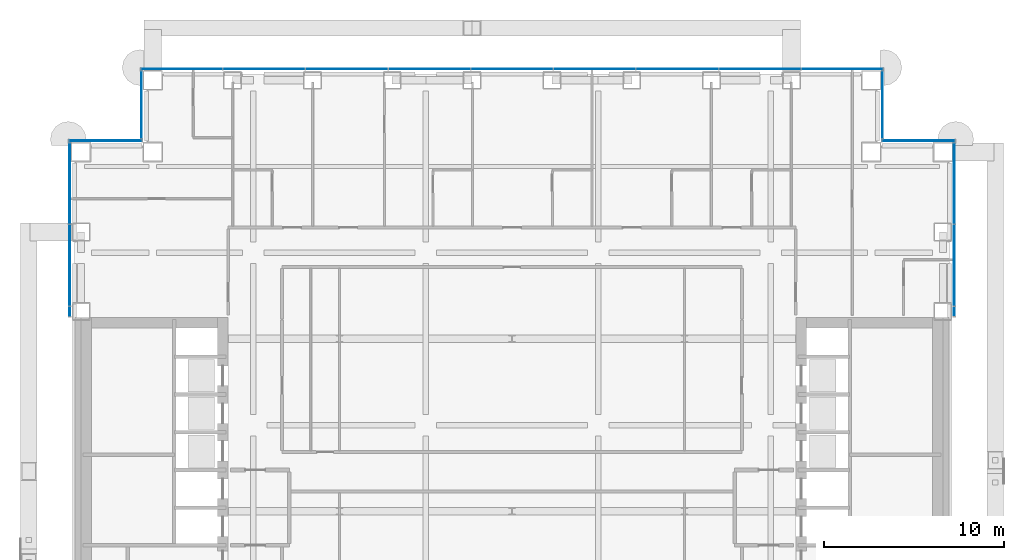
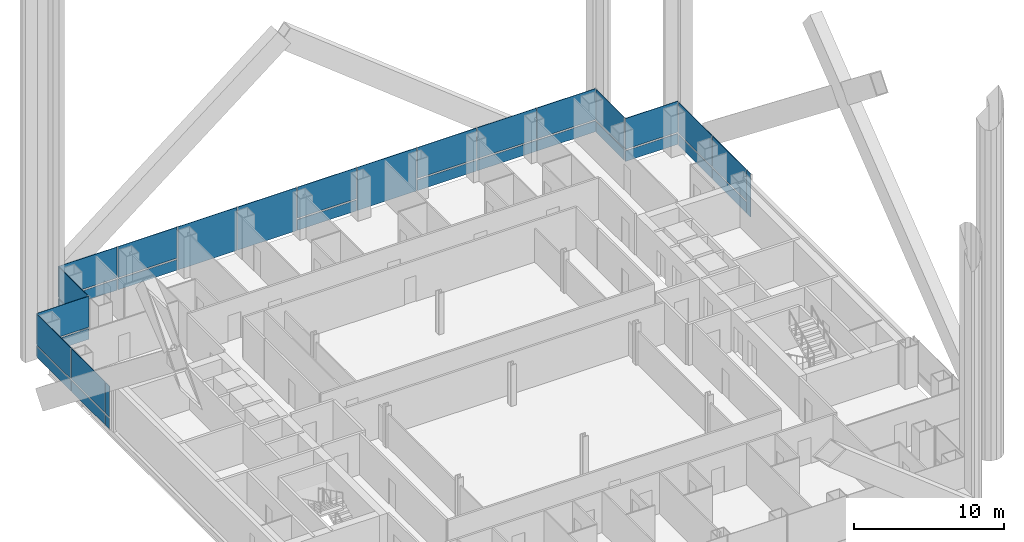
# One storey, part 17 of 28: 34 plates, 7 elements without a shape of their own.
"""IFC4 building model written with IfcOpenShell, lengths in metres."""

import ifcopenshell
import ifcopenshell.guid

model = None  # the IFC model being written
_history = None  # IfcOwnerHistory: only IFC2X3 demands one
_inside = {}  # id of a spatial element -> (the spatial element, [elements in it])
_under = {}  # id of a project, library or spatial element -> (it, [spatial elements below it])
_declared = {}  # id of a project -> (the project, [libraries it declares])
_typed = {}  # id of a type object -> (the type object, [elements of that type])
_made_of = {}  # id of a material, layer set ... -> (it, [elements and type objects made of it])


def new_model(schema):
    """Start an empty IFC model of exactly this schema.

    Asked for "IFC4X3", IfcOpenShell would pick the latest addendum, in which some entities
    have other attributes; the version numbers below select the first issue.
    IFC2X3 requires an IfcOwnerHistory on every rooted entity: one is made here for all.
    """
    global model, _history
    if schema == "IFC4X3":
        model = ifcopenshell.file(schema_version=(4, 3, 0, 0))
    else:
        model = ifcopenshell.file(schema=schema)
    _inside.clear()
    _under.clear()
    _declared.clear()
    _typed.clear()
    _made_of.clear()
    _history = None
    if model.schema == "IFC2X3":
        org = make("IfcOrganization", Name="unknown")
        user = make(
            "IfcPersonAndOrganization",
            ThePerson=make("IfcPerson", FamilyName="unknown"),
            TheOrganization=org,
        )
        app = make(
            "IfcApplication",
            ApplicationDeveloper=org,
            Version="unknown",
            ApplicationFullName="unknown",
            ApplicationIdentifier="unknown",
        )
        _history = make(
            "IfcOwnerHistory",
            OwningUser=user,
            OwningApplication=app,
            ChangeAction="ADDED",
            CreationDate=0,
        )
    return model


def make(cls, **values):
    """One entity of the class cls with the attributes given. An attribute that is None is left unset."""
    return model.create_entity(
        cls, **{name: value for name, value in values.items() if value is not None}
    )


def rooted(cls, **values):
    """An entity with a GlobalId (a new one), such as an element, a storey or a relation."""
    return make(cls, GlobalId=ifcopenshell.guid.new(), OwnerHistory=_history, **values)


def si_unit(unit_type, name, prefix=None):
    """IfcSIUnit, for example si_unit("LENGTHUNIT", "METRE", prefix="MILLI")."""
    return make("IfcSIUnit", UnitType=unit_type, Prefix=prefix, Name=name)


def assignment(units):
    """IfcUnitAssignment: the units of a project."""
    return None if units is None else make("IfcUnitAssignment", Units=units)


def point(xyz):
    """IfcCartesianPoint."""
    return None if xyz is None else make("IfcCartesianPoint", Coordinates=xyz)


def direction(xyz):
    """IfcDirection."""
    return None if xyz is None else make("IfcDirection", DirectionRatios=xyz)


def frame(location, z_axis=None, x_axis=None):
    """IfcAxis2Placement3D, a coordinate frame: its origin and axes. An axis left out is left unset."""
    return make(
        "IfcAxis2Placement3D",
        Location=point(location),
        Axis=direction(z_axis),
        RefDirection=direction(x_axis),
    )


def frame_2d(location, x_axis=None):
    """IfcAxis2Placement2D, a coordinate frame in the plane: its origin and x axis."""
    return make(
        "IfcAxis2Placement2D", Location=point(location), RefDirection=direction(x_axis)
    )


def origin():
    """The frame at (0, 0, 0) with its axes left unset."""
    return frame((0.0, 0.0, 0.0))


def origin_2d():
    """The frame at (0, 0) in the plane with its x axis left unset."""
    return frame_2d((0.0, 0.0))


def place(relative_to, where):
    """IfcLocalPlacement: puts the frame where relative to a parent placement (None: the world)."""
    return make(
        "IfcLocalPlacement", PlacementRelTo=relative_to, RelativePlacement=where
    )


def context(
    kind, dimensions, precision=None, world=None, true_north=None, identifier=None
):
    """IfcGeometricRepresentationContext, for example the 3D "Model" context."""
    return make(
        "IfcGeometricRepresentationContext",
        ContextIdentifier=identifier,
        ContextType=kind,
        CoordinateSpaceDimension=dimensions,
        Precision=precision,
        WorldCoordinateSystem=world,
        TrueNorth=true_north,
    )


def subcontext(parent, identifier, kind, view, scale=None):
    """IfcGeometricRepresentationSubContext, for example "Body" below "Model"."""
    return make(
        "IfcGeometricRepresentationSubContext",
        ContextIdentifier=identifier,
        ContextType=kind,
        ParentContext=parent,
        TargetScale=scale,
        TargetView=view,
    )


def project(units=None, contexts=None):
    """IfcProject with its units and contexts."""
    return rooted(
        "IfcProject",
        Name="project",
        RepresentationContexts=contexts,
        UnitsInContext=assignment(units),
    )


def spatial(cls, under=None, at=None, **own):
    """A site, building, storey or space (cls), placed at a placement, below another one or the project."""
    s = rooted(cls, ObjectPlacement=at, **own)
    if under is not None:
        _under.setdefault(under.id(), (under, []))[1].append(s)
    return s


def profile(cls, at=None, kind="AREA", **sizes):
    """A parametric profile (cls). Its sizes go by their IFC names, for example OverallWidth=200.0."""
    return make(cls, ProfileType=kind, Position=at, **sizes)


def rectangle(**sizes):
    """IfcRectangleProfileDef."""
    return profile("IfcRectangleProfileDef", **sizes)


def extrude(swept, where, along, depth):
    """IfcExtrudedAreaSolid: the profile swept, set in the frame where, extruded along a direction by depth."""
    return make(
        "IfcExtrudedAreaSolid",
        SweptArea=swept,
        Position=where,
        ExtrudedDirection=direction(along),
        Depth=depth,
    )


def shape(context_of_items, identifier, shape_type, items):
    """IfcShapeRepresentation: the items that make up one representation, for example the "Body"."""
    return make(
        "IfcShapeRepresentation",
        ContextOfItems=context_of_items,
        RepresentationIdentifier=identifier,
        RepresentationType=shape_type,
        Items=items,
    )


def material(Name=None, Category=None):
    """IfcMaterial."""
    return make("IfcMaterial", Name=Name, Category=Category)


def layer(
    of_material, thickness, ventilated=None, Name=None, Category=None, Priority=None
):
    """IfcMaterialLayer: one layer of a wall or slab, of a material (None: an air gap)."""
    return make(
        "IfcMaterialLayer",
        Material=of_material,
        LayerThickness=thickness,
        IsVentilated=ventilated,
        Name=Name,
        Category=Category,
        Priority=Priority,
    )


def layer_set(layers, Name=None):
    """IfcMaterialLayerSet."""
    return make("IfcMaterialLayerSet", MaterialLayers=layers, LayerSetName=Name)


def made_of(thing, what):
    """Note that an element or type object is made of a material, layer set ...; save() writes the relation."""
    if what is not None:
        _made_of.setdefault(what.id(), (what, []))[1].append(thing)
    return thing


def type_object(cls, material=None, **own):
    """A type object (cls), such as IfcWallType, which elements share."""
    return made_of(rooted(cls, **own), material)


def element(
    cls,
    number,
    at=None,
    inside=None,
    cuts=None,
    type_object=None,
    material=None,
    context=None,
    identifier="Body",
    shape_type=None,
    held_by="IfcProductDefinitionShape",
    body=None,
    shapes=None,
    **own,
):
    """One element of the class cls, such as IfcWall. Its Tag is "e" and its number.

    at: its placement. inside: the storey or other place that contains it. cuts: it is an
    opening in that element (IfcRelVoidsElement). A single representation is given by context,
    identifier, shape_type and body (its items); several are given by shapes. held_by: the class
    of the entity that holds the representations. save() writes the other relations.
    """
    e = rooted(cls, Tag="e%d" % number, ObjectPlacement=at, **own)
    if body is not None:
        shapes = [shape(context, identifier, shape_type, body)]
    if shapes is not None:
        e.Representation = make(held_by, Representations=shapes)
    if inside is not None:
        _inside.setdefault(inside.id(), (inside, []))[1].append(e)
    if cuts is not None:
        rooted(
            "IfcRelVoidsElement", RelatingBuildingElement=cuts, RelatedOpeningElement=e
        )
    if type_object is not None:
        _typed.setdefault(type_object.id(), (type_object, []))[1].append(e)
    return made_of(e, material)


def aggregate(whole, parts):
    """IfcRelAggregates: a whole, such as a stair, and the parts it consists of."""
    return rooted("IfcRelAggregates", RelatingObject=whole, RelatedObjects=parts)


def save(model, path):
    """Write the relations noted so far, then the file.

    IfcRelAggregates (storeys below a building ...), IfcRelContainedInSpatialStructure (elements
    in a storey), IfcRelDefinesByType, IfcRelAssociatesMaterial and IfcRelDeclares: one each for
    every whole, place, type object, material and project.
    """
    for whole, parts in _under.values():
        aggregate(whole, parts)
    for where, things in _inside.values():
        rooted(
            "IfcRelContainedInSpatialStructure",
            RelatedElements=things,
            RelatingStructure=where,
        )
    for kind, things in _typed.values():
        rooted("IfcRelDefinesByType", RelatedObjects=things, RelatingType=kind)
    for what, things in _made_of.values():
        rooted("IfcRelAssociatesMaterial", RelatedObjects=things, RelatingMaterial=what)
    for by, libraries in _declared.values():
        rooted("IfcRelDeclares", RelatingContext=by, RelatedDefinitions=libraries)
    model.write(path)


model = new_model("IFC4")

# Units and contexts
model_context = context("Model", 3, precision=1e-05, world=origin(), true_north=direction((0.0, 1.0)))
body_context = subcontext(model_context, "Body", "Model", "MODEL_VIEW")
ifc_project = project(units=[si_unit("LENGTHUNIT", "METRE"), si_unit("AREAUNIT", "SQUARE_METRE"), si_unit("VOLUMEUNIT", "CUBIC_METRE"), si_unit("PLANEANGLEUNIT", "RADIAN"), si_unit("MASSUNIT", "GRAM", prefix="KILO")], contexts=[model_context])

# Site, building, storey
site_placement = place(None, origin())
site = spatial("IfcSite", under=ifc_project, at=site_placement, CompositionType="ELEMENT")
building_placement = place(site_placement, origin())
building = spatial("IfcBuilding", under=site, at=building_placement, Name="Cobrizo Arcos Hotel Tower", CompositionType="ELEMENT")
storey_placement = place(building_placement, frame((0.0, 0.0, 39.0)))
storey = spatial("IfcBuildingStorey", under=building, at=storey_placement, Name="L07", CompositionType="ELEMENT", Elevation=39.0)

# Curtain wall, plates
ifc_material_1 = material(Name="Aluminium 6063-T6 anodised bronze", Category="aluminium")
curtain_wall_type = type_object("IfcCurtainWallType", Name="CW-A guest facade", PredefinedType="NOTDEFINED", material=ifc_material_1)
curtain_wall_1_placement = place(storey_placement, origin())
curtain_wall_1 = element("IfcCurtainWall", 1, at=curtain_wall_1_placement, inside=storey, type_object=curtain_wall_type, Name="CW-A L07 E face", PredefinedType="NOTDEFINED")
ifc_material_2 = material(Name="Glass clear laminated low-e", Category="glass")
ifc_layer_1 = layer(ifc_material_2, 0.0400390625)
ifc_layer_set_1 = layer_set([ifc_layer_1], Name="CW-A glass panel")
plate_type_1 = type_object("IfcPlateType", Name="CW-A glass panel", PredefinedType="CURTAIN_PANEL", material=ifc_layer_set_1)
plate_1_placement = place(storey_placement, frame((24.625, 13.699951171875, 0.990234375), z_axis=(0.0, 0.0, 1.0), x_axis=(0.0, 1.0, 0.0)))
plate_1 = element("IfcPlate", 2, at=plate_1_placement, type_object=plate_type_1, Name="CW-A glass panel 376", PredefinedType="CURTAIN_PANEL", context=body_context, shape_type="SweptSolid", body=[
    extrude(rectangle(XDim=4.506591796875, YDim=0.0400390625, at=origin_2d()), origin(), (0.0, 0.0, 1.0), 2.510009765625),
])
plate_2_placement = place(storey_placement, frame((24.625, 18.251708984375, 0.990234375), z_axis=(0.0, 0.0, 1.0), x_axis=(0.0, 1.0, 0.0)))
plate_2 = element("IfcPlate", 3, at=plate_2_placement, type_object=plate_type_1, Name="CW-A glass panel 377", PredefinedType="CURTAIN_PANEL", context=body_context, shape_type="SweptSolid", body=[
    extrude(rectangle(XDim=4.4765625, YDim=0.0400390625, at=origin_2d()), origin(), (0.0, 0.0, 1.0), 2.510009765625),
])

# Curtain wall, plate
curtain_wall_2_placement = place(storey_placement, origin())
curtain_wall_2 = element("IfcCurtainWall", 4, at=curtain_wall_2_placement, inside=storey, type_object=curtain_wall_type, Name="CW-A L07 N face", PredefinedType="NOTDEFINED")
plate_3_placement = place(storey_placement, frame((22.625, 20.625, 0.990234375), z_axis=(0.0, 0.0, 1.0), x_axis=(-1.0, 0.0, 0.0)))
plate_3 = element("IfcPlate", 5, at=plate_3_placement, type_object=plate_type_1, Name="CW-A glass panel 378", PredefinedType="CURTAIN_PANEL", context=body_context, shape_type="SweptSolid", body=[
    extrude(rectangle(XDim=4.030029296875, YDim=0.0400390625, at=origin_2d()), origin(), (0.0, 0.0, 1.0), 2.510009765625),
])

curtain_wall_3_placement = place(storey_placement, origin())
curtain_wall_3 = element("IfcCurtainWall", 6, at=curtain_wall_3_placement, inside=storey, type_object=curtain_wall_type, Name="CW-A L07 E face", PredefinedType="NOTDEFINED")
plate_4_placement = place(storey_placement, frame((20.625, 22.625, 0.990234375), z_axis=(0.0, 0.0, 1.0), x_axis=(0.0, 1.0, 0.0)))
plate_4 = element("IfcPlate", 7, at=plate_4_placement, type_object=plate_type_1, Name="CW-A glass panel 379", PredefinedType="CURTAIN_PANEL", context=body_context, shape_type="SweptSolid", body=[
    extrude(rectangle(XDim=3.72998046875, YDim=0.0400390625, at=origin_2d()), origin(), (0.0, 0.0, 1.0), 2.510009765625),
])

# Curtain wall, plates
curtain_wall_4_placement = place(storey_placement, origin())
curtain_wall_4 = element("IfcCurtainWall", 8, at=curtain_wall_4_placement, inside=storey, type_object=curtain_wall_type, Name="CW-A L07 N face", PredefinedType="NOTDEFINED")
plate_5_placement = place(storey_placement, frame((18.385009765625, 24.625, 0.990234375), z_axis=(0.0, 0.0, 1.0), x_axis=(-1.0, 0.0, 0.0)))
plate_5 = element("IfcPlate", 9, at=plate_5_placement, type_object=plate_type_1, Name="CW-A glass panel 380", PredefinedType="CURTAIN_PANEL", context=body_context, shape_type="SweptSolid", body=[
    extrude(rectangle(XDim=4.510009765625, YDim=0.0400390625, at=origin_2d()), origin(), (0.0, 0.0, 1.0), 2.510009765625),
])
plate_6_placement = place(storey_placement, frame((13.800048828125, 24.625, 0.990234375), z_axis=(0.0, 0.0, 1.0), x_axis=(-1.0, 0.0, 0.0)))
plate_6 = element("IfcPlate", 10, at=plate_6_placement, type_object=plate_type_1, Name="CW-A glass panel 381", PredefinedType="CURTAIN_PANEL", context=body_context, shape_type="SweptSolid", body=[
    extrude(rectangle(XDim=4.5400390625, YDim=0.0400390625, at=origin_2d()), origin(), (0.0, 0.0, 1.0), 2.510009765625),
])
plate_7_placement = place(storey_placement, frame((9.199951171875, 24.625, 0.990234375), z_axis=(0.0, 0.0, 1.0), x_axis=(-1.0, 0.0, 0.0)))
plate_7 = element("IfcPlate", 11, at=plate_7_placement, type_object=plate_type_1, Name="CW-A glass panel 382", PredefinedType="CURTAIN_PANEL", context=body_context, shape_type="SweptSolid", body=[
    extrude(rectangle(XDim=4.5400390625, YDim=0.0400390625, at=origin_2d()), origin(), (0.0, 0.0, 1.0), 2.510009765625),
])
plate_8_placement = place(storey_placement, frame((0.0, 24.625, 0.990234375), z_axis=(0.0, 0.0, 1.0), x_axis=(-1.0, 0.0, 0.0)))
plate_8 = element("IfcPlate", 12, at=plate_8_placement, type_object=plate_type_1, Name="CW-A glass panel 384", PredefinedType="CURTAIN_PANEL", context=body_context, shape_type="SweptSolid", body=[
    extrude(rectangle(XDim=4.5400390625, YDim=0.0400390625, at=origin_2d()), origin(), (0.0, 0.0, 1.0), 2.510009765625),
])
plate_9_placement = place(storey_placement, frame((-13.800048828125, 24.625, 0.990234375), z_axis=(0.0, 0.0, 1.0), x_axis=(-1.0, 0.0, 0.0)))
plate_9 = element("IfcPlate", 13, at=plate_9_placement, type_object=plate_type_1, Name="CW-A glass panel 387", PredefinedType="CURTAIN_PANEL", context=body_context, shape_type="SweptSolid", body=[
    extrude(rectangle(XDim=4.5400390625, YDim=0.0400390625, at=origin_2d()), origin(), (0.0, 0.0, 1.0), 2.510009765625),
])
plate_10_placement = place(storey_placement, frame((-18.385009765625, 24.625, 0.990234375), z_axis=(0.0, 0.0, 1.0), x_axis=(-1.0, 0.0, 0.0)))
plate_10 = element("IfcPlate", 14, at=plate_10_placement, type_object=plate_type_1, Name="CW-A glass panel 388", PredefinedType="CURTAIN_PANEL", context=body_context, shape_type="SweptSolid", body=[
    extrude(rectangle(XDim=4.510009765625, YDim=0.0400390625, at=origin_2d()), origin(), (0.0, 0.0, 1.0), 2.510009765625),
])

# Curtain wall, plate
curtain_wall_5_placement = place(storey_placement, origin())
curtain_wall_5 = element("IfcCurtainWall", 15, at=curtain_wall_5_placement, inside=storey, type_object=curtain_wall_type, Name="CW-A L07 W face", PredefinedType="NOTDEFINED")
plate_11_placement = place(storey_placement, frame((-20.625, 22.625, 0.990234375), z_axis=(0.0, 0.0, 1.0), x_axis=(0.0, -1.0, 0.0)))
plate_11 = element("IfcPlate", 16, at=plate_11_placement, type_object=plate_type_1, Name="CW-A glass panel 389", PredefinedType="CURTAIN_PANEL", context=body_context, shape_type="SweptSolid", body=[
    extrude(rectangle(XDim=3.72998046875, YDim=0.0400390625, at=origin_2d()), origin(), (0.0, 0.0, 1.0), 2.510009765625),
])

curtain_wall_6_placement = place(storey_placement, origin())
curtain_wall_6 = element("IfcCurtainWall", 17, at=curtain_wall_6_placement, inside=storey, type_object=curtain_wall_type, Name="CW-A L07 N face", PredefinedType="NOTDEFINED")
plate_12_placement = place(storey_placement, frame((-22.625, 20.625, 0.990234375), z_axis=(0.0, 0.0, 1.0), x_axis=(-1.0, 0.0, 0.0)))
plate_12 = element("IfcPlate", 18, at=plate_12_placement, type_object=plate_type_1, Name="CW-A glass panel 390", PredefinedType="CURTAIN_PANEL", context=body_context, shape_type="SweptSolid", body=[
    extrude(rectangle(XDim=4.030029296875, YDim=0.0400390625, at=origin_2d()), origin(), (0.0, 0.0, 1.0), 2.510009765625),
])

# Curtain wall, plates
curtain_wall_7_placement = place(storey_placement, origin())
curtain_wall_7 = element("IfcCurtainWall", 19, at=curtain_wall_7_placement, inside=storey, type_object=curtain_wall_type, Name="CW-A L07 W face", PredefinedType="NOTDEFINED")
plate_13_placement = place(storey_placement, frame((-24.625, 18.251708984375, 0.990234375), z_axis=(0.0, 0.0, 1.0), x_axis=(0.0, -1.0, 0.0)))
plate_13 = element("IfcPlate", 20, at=plate_13_placement, type_object=plate_type_1, Name="CW-A glass panel 391", PredefinedType="CURTAIN_PANEL", context=body_context, shape_type="SweptSolid", body=[
    extrude(rectangle(XDim=4.4765625, YDim=0.0400390625, at=origin_2d()), origin(), (0.0, 0.0, 1.0), 2.510009765625),
])
plate_14_placement = place(storey_placement, frame((-24.625, 13.699951171875, 0.990234375), z_axis=(0.0, 0.0, 1.0), x_axis=(0.0, -1.0, 0.0)))
plate_14 = element("IfcPlate", 21, at=plate_14_placement, type_object=plate_type_1, Name="CW-A glass panel 392", PredefinedType="CURTAIN_PANEL", context=body_context, shape_type="SweptSolid", body=[
    extrude(rectangle(XDim=4.506591796875, YDim=0.0400390625, at=origin_2d()), origin(), (0.0, 0.0, 1.0), 2.510009765625),
])
plate_15_placement = place(storey_placement, frame((-24.625, 11.123291015625, 0.990234375), z_axis=(0.0, 0.0, 1.0), x_axis=(0.0, -1.0, 0.0)))
plate_15 = element("IfcPlate", 22, at=plate_15_placement, type_object=plate_type_1, Name="CW-A glass panel 393", PredefinedType="CURTAIN_PANEL", context=body_context, shape_type="SweptSolid", body=[
    extrude(rectangle(XDim=0.526611328125, YDim=0.0400390625, at=origin_2d()), origin(), (0.0, 0.0, 1.0), 2.510009765625),
])

# Plate
ifc_material_3 = material(Name="Aluminium composite panel pale metal", Category="aluminium")
ifc_layer_2 = layer(ifc_material_3, 0.0400390625)
ifc_layer_set_2 = layer_set([ifc_layer_2], Name="CW-A spandrel panel")
plate_type_2 = type_object("IfcPlateType", Name="CW-A spandrel panel", PredefinedType="CURTAIN_PANEL", material=ifc_layer_set_2)
plate_16_placement = place(storey_placement, frame((24.625, 11.123291015625, 0.0), z_axis=(0.0, 0.0, 1.0), x_axis=(0.0, 1.0, 0.0)))
plate_16 = element("IfcPlate", 23, at=plate_16_placement, type_object=plate_type_2, Name="CW-A spandrel panel 375", PredefinedType="CURTAIN_PANEL", context=body_context, shape_type="SweptSolid", body=[
    extrude(rectangle(XDim=0.526611328125, YDim=0.0400390625, at=origin_2d()), origin(), (0.0, 0.0, 1.0), 3.5),
])

plate_17_placement = place(storey_placement, frame((24.625, 13.699951171875, 0.0), z_axis=(0.0, 0.0, 1.0), x_axis=(0.0, 1.0, 0.0)))
plate_17 = element("IfcPlate", 24, at=plate_17_placement, type_object=plate_type_2, Name="CW-A spandrel panel 376", PredefinedType="CURTAIN_PANEL", context=body_context, shape_type="SweptSolid", body=[
    extrude(rectangle(XDim=4.506591796875, YDim=0.0400390625, at=origin_2d()), origin(), (0.0, 0.0, 1.0), 0.8701171875),
])

plate_18_placement = place(storey_placement, frame((24.625, 18.251708984375, 0.0), z_axis=(0.0, 0.0, 1.0), x_axis=(0.0, 1.0, 0.0)))
plate_18 = element("IfcPlate", 25, at=plate_18_placement, type_object=plate_type_2, Name="CW-A spandrel panel 377", PredefinedType="CURTAIN_PANEL", context=body_context, shape_type="SweptSolid", body=[
    extrude(rectangle(XDim=4.4765625, YDim=0.0400390625, at=origin_2d()), origin(), (0.0, 0.0, 1.0), 0.8701171875),
])

aggregate(curtain_wall_1, [plate_16, plate_17, plate_1, plate_18, plate_2])

plate_19_placement = place(storey_placement, frame((22.625, 20.625, 0.0), z_axis=(0.0, 0.0, 1.0), x_axis=(-1.0, 0.0, 0.0)))
plate_19 = element("IfcPlate", 26, at=plate_19_placement, type_object=plate_type_2, Name="CW-A spandrel panel 378", PredefinedType="CURTAIN_PANEL", context=body_context, shape_type="SweptSolid", body=[
    extrude(rectangle(XDim=4.030029296875, YDim=0.0400390625, at=origin_2d()), origin(), (0.0, 0.0, 1.0), 0.8701171875),
])

aggregate(curtain_wall_2, [plate_19, plate_3])

plate_20_placement = place(storey_placement, frame((20.625, 22.625, 0.0), z_axis=(0.0, 0.0, 1.0), x_axis=(0.0, 1.0, 0.0)))
plate_20 = element("IfcPlate", 27, at=plate_20_placement, type_object=plate_type_2, Name="CW-A spandrel panel 379", PredefinedType="CURTAIN_PANEL", context=body_context, shape_type="SweptSolid", body=[
    extrude(rectangle(XDim=3.72998046875, YDim=0.0400390625, at=origin_2d()), origin(), (0.0, 0.0, 1.0), 0.8701171875),
])

aggregate(curtain_wall_3, [plate_20, plate_4])

plate_21_placement = place(storey_placement, frame((18.385009765625, 24.625, 0.0), z_axis=(0.0, 0.0, 1.0), x_axis=(-1.0, 0.0, 0.0)))
plate_21 = element("IfcPlate", 28, at=plate_21_placement, type_object=plate_type_2, Name="CW-A spandrel panel 380", PredefinedType="CURTAIN_PANEL", context=body_context, shape_type="SweptSolid", body=[
    extrude(rectangle(XDim=4.510009765625, YDim=0.0400390625, at=origin_2d()), origin(), (0.0, 0.0, 1.0), 0.8701171875),
])

plate_22_placement = place(storey_placement, frame((13.800048828125, 24.625, 0.0), z_axis=(0.0, 0.0, 1.0), x_axis=(-1.0, 0.0, 0.0)))
plate_22 = element("IfcPlate", 29, at=plate_22_placement, type_object=plate_type_2, Name="CW-A spandrel panel 381", PredefinedType="CURTAIN_PANEL", context=body_context, shape_type="SweptSolid", body=[
    extrude(rectangle(XDim=4.5400390625, YDim=0.0400390625, at=origin_2d()), origin(), (0.0, 0.0, 1.0), 0.8701171875),
])

plate_23_placement = place(storey_placement, frame((9.199951171875, 24.625, 0.0), z_axis=(0.0, 0.0, 1.0), x_axis=(-1.0, 0.0, 0.0)))
plate_23 = element("IfcPlate", 30, at=plate_23_placement, type_object=plate_type_2, Name="CW-A spandrel panel 382", PredefinedType="CURTAIN_PANEL", context=body_context, shape_type="SweptSolid", body=[
    extrude(rectangle(XDim=4.5400390625, YDim=0.0400390625, at=origin_2d()), origin(), (0.0, 0.0, 1.0), 0.8701171875),
])

plate_24_placement = place(storey_placement, frame((4.60009765625, 24.625, 0.0), z_axis=(0.0, 0.0, 1.0), x_axis=(-1.0, 0.0, 0.0)))
plate_24 = element("IfcPlate", 31, at=plate_24_placement, type_object=plate_type_2, Name="CW-A spandrel panel 383", PredefinedType="CURTAIN_PANEL", context=body_context, shape_type="SweptSolid", body=[
    extrude(rectangle(XDim=4.5400390625, YDim=0.0400390625, at=origin_2d()), origin(), (0.0, 0.0, 1.0), 3.5),
])

plate_25_placement = place(storey_placement, frame((0.0, 24.625, 0.0), z_axis=(0.0, 0.0, 1.0), x_axis=(-1.0, 0.0, 0.0)))
plate_25 = element("IfcPlate", 32, at=plate_25_placement, type_object=plate_type_2, Name="CW-A spandrel panel 384", PredefinedType="CURTAIN_PANEL", context=body_context, shape_type="SweptSolid", body=[
    extrude(rectangle(XDim=4.5400390625, YDim=0.0400390625, at=origin_2d()), origin(), (0.0, 0.0, 1.0), 0.8701171875),
])

plate_26_placement = place(storey_placement, frame((-4.60009765625, 24.625, 0.0), z_axis=(0.0, 0.0, 1.0), x_axis=(-1.0, 0.0, 0.0)))
plate_26 = element("IfcPlate", 33, at=plate_26_placement, type_object=plate_type_2, Name="CW-A spandrel panel 385", PredefinedType="CURTAIN_PANEL", context=body_context, shape_type="SweptSolid", body=[
    extrude(rectangle(XDim=4.5400390625, YDim=0.0400390625, at=origin_2d()), origin(), (0.0, 0.0, 1.0), 3.5),
])

plate_27_placement = place(storey_placement, frame((-9.199951171875, 24.625, 0.0), z_axis=(0.0, 0.0, 1.0), x_axis=(-1.0, 0.0, 0.0)))
plate_27 = element("IfcPlate", 34, at=plate_27_placement, type_object=plate_type_2, Name="CW-A spandrel panel 386", PredefinedType="CURTAIN_PANEL", context=body_context, shape_type="SweptSolid", body=[
    extrude(rectangle(XDim=4.5400390625, YDim=0.0400390625, at=origin_2d()), origin(), (0.0, 0.0, 1.0), 3.5),
])

plate_28_placement = place(storey_placement, frame((-13.800048828125, 24.625, 0.0), z_axis=(0.0, 0.0, 1.0), x_axis=(-1.0, 0.0, 0.0)))
plate_28 = element("IfcPlate", 35, at=plate_28_placement, type_object=plate_type_2, Name="CW-A spandrel panel 387", PredefinedType="CURTAIN_PANEL", context=body_context, shape_type="SweptSolid", body=[
    extrude(rectangle(XDim=4.5400390625, YDim=0.0400390625, at=origin_2d()), origin(), (0.0, 0.0, 1.0), 0.8701171875),
])

plate_29_placement = place(storey_placement, frame((-18.385009765625, 24.625, 0.0), z_axis=(0.0, 0.0, 1.0), x_axis=(-1.0, 0.0, 0.0)))
plate_29 = element("IfcPlate", 36, at=plate_29_placement, type_object=plate_type_2, Name="CW-A spandrel panel 388", PredefinedType="CURTAIN_PANEL", context=body_context, shape_type="SweptSolid", body=[
    extrude(rectangle(XDim=4.510009765625, YDim=0.0400390625, at=origin_2d()), origin(), (0.0, 0.0, 1.0), 0.8701171875),
])

aggregate(curtain_wall_4, [plate_21, plate_5, plate_22, plate_6, plate_23, plate_7, plate_24, plate_25, plate_8, plate_26, plate_27, plate_28, plate_9, plate_29, plate_10])

plate_30_placement = place(storey_placement, frame((-20.625, 22.625, 0.0), z_axis=(0.0, 0.0, 1.0), x_axis=(0.0, -1.0, 0.0)))
plate_30 = element("IfcPlate", 37, at=plate_30_placement, type_object=plate_type_2, Name="CW-A spandrel panel 389", PredefinedType="CURTAIN_PANEL", context=body_context, shape_type="SweptSolid", body=[
    extrude(rectangle(XDim=3.72998046875, YDim=0.0400390625, at=origin_2d()), origin(), (0.0, 0.0, 1.0), 0.8701171875),
])

aggregate(curtain_wall_5, [plate_30, plate_11])

plate_31_placement = place(storey_placement, frame((-22.625, 20.625, 0.0), z_axis=(0.0, 0.0, 1.0), x_axis=(-1.0, 0.0, 0.0)))
plate_31 = element("IfcPlate", 38, at=plate_31_placement, type_object=plate_type_2, Name="CW-A spandrel panel 390", PredefinedType="CURTAIN_PANEL", context=body_context, shape_type="SweptSolid", body=[
    extrude(rectangle(XDim=4.030029296875, YDim=0.0400390625, at=origin_2d()), origin(), (0.0, 0.0, 1.0), 0.8701171875),
])

aggregate(curtain_wall_6, [plate_31, plate_12])

plate_32_placement = place(storey_placement, frame((-24.625, 18.251708984375, 0.0), z_axis=(0.0, 0.0, 1.0), x_axis=(0.0, -1.0, 0.0)))
plate_32 = element("IfcPlate", 39, at=plate_32_placement, type_object=plate_type_2, Name="CW-A spandrel panel 391", PredefinedType="CURTAIN_PANEL", context=body_context, shape_type="SweptSolid", body=[
    extrude(rectangle(XDim=4.4765625, YDim=0.0400390625, at=origin_2d()), origin(), (0.0, 0.0, 1.0), 0.8701171875),
])

plate_33_placement = place(storey_placement, frame((-24.625, 13.699951171875, 0.0), z_axis=(0.0, 0.0, 1.0), x_axis=(0.0, -1.0, 0.0)))
plate_33 = element("IfcPlate", 40, at=plate_33_placement, type_object=plate_type_2, Name="CW-A spandrel panel 392", PredefinedType="CURTAIN_PANEL", context=body_context, shape_type="SweptSolid", body=[
    extrude(rectangle(XDim=4.506591796875, YDim=0.0400390625, at=origin_2d()), origin(), (0.0, 0.0, 1.0), 0.8701171875),
])

plate_34_placement = place(storey_placement, frame((-24.625, 11.123291015625, 0.0), z_axis=(0.0, 0.0, 1.0), x_axis=(0.0, -1.0, 0.0)))
plate_34 = element("IfcPlate", 41, at=plate_34_placement, type_object=plate_type_2, Name="CW-A spandrel panel 393", PredefinedType="CURTAIN_PANEL", context=body_context, shape_type="SweptSolid", body=[
    extrude(rectangle(XDim=0.526611328125, YDim=0.0400390625, at=origin_2d()), origin(), (0.0, 0.0, 1.0), 0.8701171875),
])

aggregate(curtain_wall_7, [plate_32, plate_13, plate_33, plate_14, plate_34, plate_15])

save(model, "model.ifc")
